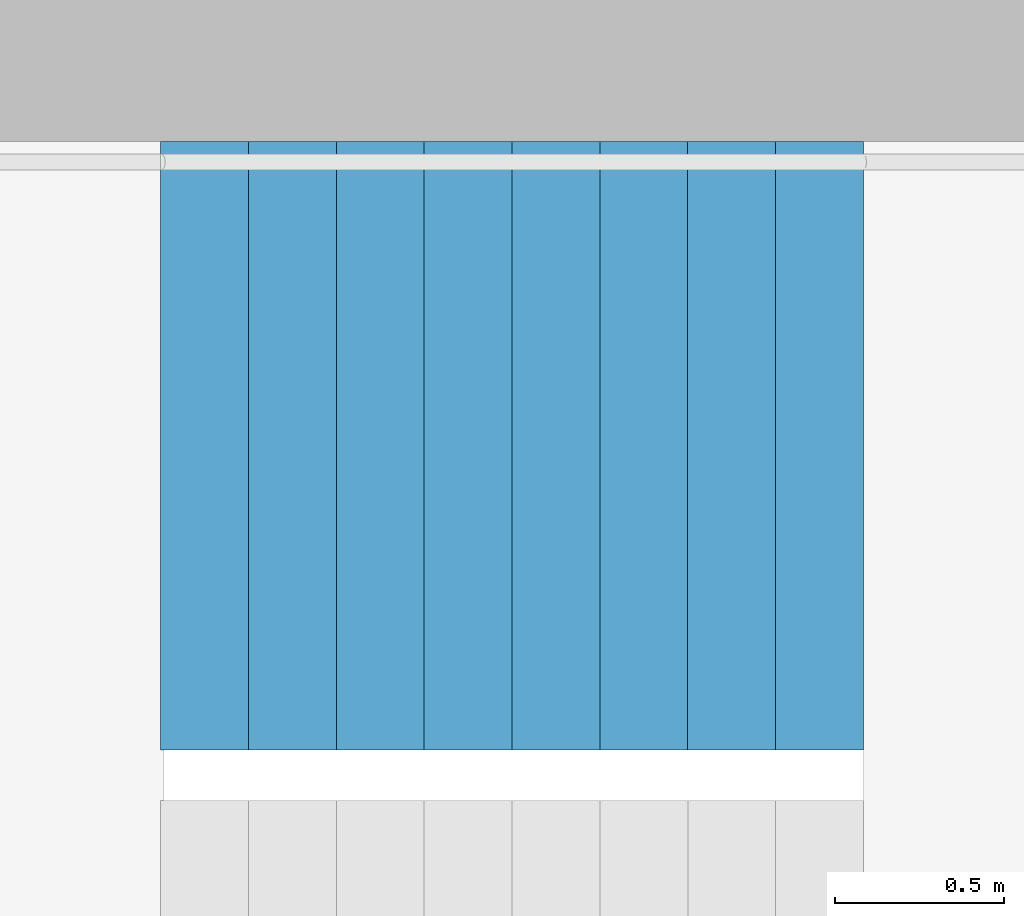
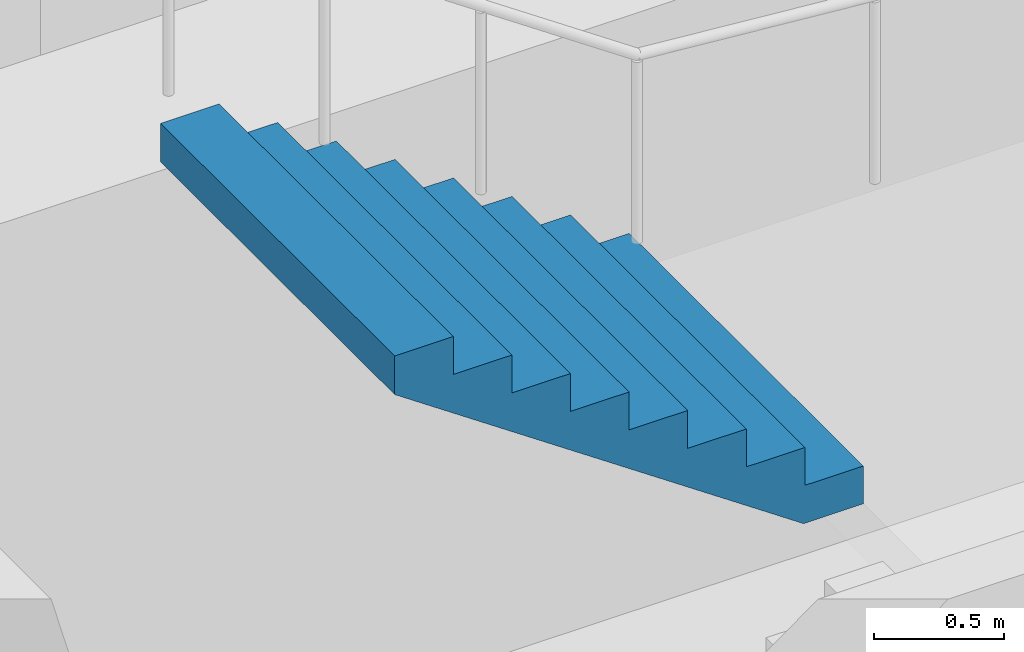
# One storey, part 36 of 42: 1 stair flight, 1 element without a shape of its own.
"""IFC4 building model written with IfcOpenShell, lengths in metres."""

from ifc_helpers import new_model, si_unit, direction, frame, origin, place, context, subcontext, project, spatial, triangles, material, type_object, element, aggregate, save


model = new_model("IFC4")

# Units and contexts
model_context = context("Model", 3, precision=1e-05, world=origin(), true_north=direction((0.0, 1.0)))
body_context = subcontext(model_context, "Body", "Model", "MODEL_VIEW")
ifc_project = project(units=[si_unit("LENGTHUNIT", "METRE"), si_unit("AREAUNIT", "SQUARE_METRE"), si_unit("VOLUMEUNIT", "CUBIC_METRE"), si_unit("PLANEANGLEUNIT", "RADIAN"), si_unit("MASSUNIT", "GRAM", prefix="KILO")], contexts=[model_context])

# Site, building, storey
site_placement = place(None, origin())
site = spatial("IfcSite", under=ifc_project, at=site_placement, CompositionType="ELEMENT")
building_placement = place(site_placement, origin())
building = spatial("IfcBuilding", under=site, at=building_placement, Name="Hakoniwa Tower and Hamabe Station Hall", CompositionType="ELEMENT")
storey_placement = place(building_placement, frame((0.0, 0.0, 19.800048828125)))
storey = spatial("IfcBuildingStorey", under=building, at=storey_placement, Name="L04", CompositionType="ELEMENT", Elevation=19.800048828125)

# Stair, stair flight
ifc_material_1 = material(Name="Concrete C40", Category="concrete")
stair_type = type_object("IfcStairType", Name="ESCAPE STAIR 1800", PredefinedType="HALF_TURN_STAIR", material=ifc_material_1)
stair_placement = place(storey_placement, origin())
stair = element("IfcStair", 1, at=stair_placement, inside=storey, type_object=stair_type, Name="Escape stair ST-1 L04", PredefinedType="HALF_TURN_STAIR")
ifc_material_2 = material(Name="Concrete C40", Category="concrete")
stair_flight_type = type_object("IfcStairFlightType", Name="STAIR FLIGHT 1800", PredefinedType="STRAIGHT", material=ifc_material_2)
stair_flight_placement = place(storey_placement, frame((-22.320068359375, 6.60009765625, 1.599853515625), z_axis=(0.0, 0.0, 1.0), x_axis=(-1.0, 0.0, 0.0)))
stair_flight = element("IfcStairFlight", 2, at=stair_flight_placement, type_object=stair_flight_type, Name="ST-1 flight 2", NumberOfRisers=9, NumberOfTreads=8, PredefinedType="STRAIGHT", RiserHeight=0.177777778, TreadLength=0.26, context=body_context, shape_type="Tessellation", body=[
    triangles([(0.0, 0.89990234375, 0.0), (0.260009765625, 0.89990234375, 0.0), (0.265625, 0.89990234375, 0.0), (0.52001953125, 0.89990234375, 0.174072265625), (0.780029296875, 0.89990234375, 0.351806640625), (1.0400390625, 0.89990234375, 0.529541015625), (1.300048828125, 0.89990234375, 0.707275390625), (1.56005859375, 0.89990234375, 0.885009765625), (1.820068359375, 0.89990234375, 1.062744140625), (2.080078125, 0.89990234375, 1.24072265625), (2.080078125, 0.89990234375, 1.422119140625), (1.820068359375, 0.89990234375, 1.422119140625), (1.820068359375, 0.89990234375, 1.244384765625), (1.56005859375, 0.89990234375, 1.244384765625), (1.56005859375, 0.89990234375, 1.066650390625), (1.300048828125, 0.89990234375, 1.066650390625), (1.300048828125, 0.89990234375, 0.888916015625), (1.0400390625, 0.89990234375, 0.888916015625), (1.0400390625, 0.89990234375, 0.711181640625), (0.780029296875, 0.89990234375, 0.711181640625), (0.780029296875, 0.89990234375, 0.533447265625), (0.52001953125, 0.89990234375, 0.533447265625), (0.52001953125, 0.89990234375, 0.35546875), (0.265625, 0.89990234375, 0.35546875), (0.260009765625, 0.89990234375, 0.35546875), (0.260009765625, 0.89990234375, 0.177734375), (0.0, 0.89990234375, 0.177734375), (0.0, 0.06005859375, 0.0), (0.260009765625, 0.06005859375, 0.0), (0.265625, 0.06005859375, 0.0), (0.52001953125, 0.06005859375, 0.174072265625), (0.780029296875, 0.06005859375, 0.351806640625), (1.0400390625, 0.06005859375, 0.529541015625), (1.300048828125, 0.06005859375, 0.707275390625), (1.56005859375, 0.06005859375, 0.885009765625), (1.820068359375, 0.06005859375, 1.062744140625), (2.080078125, 0.06005859375, 1.24072265625), (2.080078125, 0.06005859375, 1.422119140625), (1.820068359375, 0.06005859375, 1.422119140625), (1.820068359375, 0.06005859375, 1.244384765625), (1.56005859375, 0.06005859375, 1.244384765625), (1.56005859375, 0.06005859375, 1.066650390625), (1.300048828125, 0.06005859375, 1.066650390625), (1.300048828125, 0.06005859375, 0.888916015625), (1.0400390625, 0.06005859375, 0.888916015625), (1.0400390625, 0.06005859375, 0.711181640625), (0.780029296875, 0.06005859375, 0.711181640625), (0.780029296875, 0.06005859375, 0.533447265625), (0.52001953125, 0.06005859375, 0.533447265625), (0.52001953125, 0.06005859375, 0.35546875), (0.265625, 0.06005859375, 0.35546875), (0.260009765625, 0.06005859375, 0.35546875), (0.260009765625, 0.06005859375, 0.177734375), (0.0, 0.06005859375, 0.177734375), (0.0, 0.04296875, 0.0), (0.260009765625, 0.04296875, 0.0), (0.265625, 0.04296875, 0.0), (0.52001953125, 0.04296875, 0.174072265625), (0.780029296875, 0.04296875, 0.351806640625), (1.0400390625, 0.04296875, 0.529541015625), (1.300048828125, 0.04296875, 0.707275390625), (1.56005859375, 0.04296875, 0.885009765625), (1.820068359375, 0.04296875, 1.062744140625), (2.080078125, 0.04296875, 1.24072265625), (2.080078125, 0.04296875, 1.422119140625), (1.820068359375, 0.04296875, 1.422119140625), (1.820068359375, 0.04296875, 1.244384765625), (1.56005859375, 0.04296875, 1.244384765625), (1.56005859375, 0.04296875, 1.066650390625), (1.300048828125, 0.04296875, 1.066650390625), (1.300048828125, 0.04296875, 0.888916015625), (1.0400390625, 0.04296875, 0.888916015625), (1.0400390625, 0.04296875, 0.711181640625), (0.780029296875, 0.04296875, 0.711181640625), (0.780029296875, 0.04296875, 0.533447265625), (0.52001953125, 0.04296875, 0.533447265625), (0.52001953125, 0.04296875, 0.35546875), (0.265625, 0.04296875, 0.35546875), (0.260009765625, 0.04296875, 0.35546875), (0.260009765625, 0.04296875, 0.177734375), (0.0, 0.04296875, 0.177734375), (0.0, 0.025634765625, 0.0), (0.260009765625, 0.025634765625, 0.0), (0.265625, 0.025634765625, 0.0), (0.52001953125, 0.025634765625, 0.174072265625), (0.780029296875, 0.025634765625, 0.351806640625), (1.0400390625, 0.025634765625, 0.529541015625), (1.300048828125, 0.025634765625, 0.707275390625), (1.56005859375, 0.025634765625, 0.885009765625), (1.820068359375, 0.025634765625, 1.062744140625), (2.080078125, 0.025634765625, 1.24072265625), (2.080078125, 0.025634765625, 1.422119140625), (1.820068359375, 0.025634765625, 1.422119140625), (1.820068359375, 0.025634765625, 1.244384765625), (1.56005859375, 0.025634765625, 1.244384765625), (1.56005859375, 0.025634765625, 1.066650390625), (1.300048828125, 0.025634765625, 1.066650390625), (1.300048828125, 0.025634765625, 0.888916015625), (1.0400390625, 0.025634765625, 0.888916015625), (1.0400390625, 0.025634765625, 0.711181640625), (0.780029296875, 0.025634765625, 0.711181640625), (0.780029296875, 0.025634765625, 0.533447265625), (0.52001953125, 0.025634765625, 0.533447265625), (0.52001953125, 0.025634765625, 0.35546875), (0.265625, 0.025634765625, 0.35546875), (0.260009765625, 0.025634765625, 0.35546875), (0.260009765625, 0.025634765625, 0.177734375), (0.0, 0.025634765625, 0.177734375), (0.0, 0.008544921875, 0.0), (0.260009765625, 0.008544921875, 0.0), (0.265625, 0.008544921875, 0.0), (0.52001953125, 0.008544921875, 0.174072265625), (0.780029296875, 0.008544921875, 0.351806640625), (1.0400390625, 0.008544921875, 0.529541015625), (1.300048828125, 0.008544921875, 0.707275390625), (1.56005859375, 0.008544921875, 0.885009765625), (1.820068359375, 0.008544921875, 1.062744140625), (2.080078125, 0.008544921875, 1.24072265625), (2.080078125, 0.008544921875, 1.422119140625), (1.820068359375, 0.008544921875, 1.422119140625), (1.820068359375, 0.008544921875, 1.244384765625), (1.56005859375, 0.008544921875, 1.244384765625), (1.56005859375, 0.008544921875, 1.066650390625), (1.300048828125, 0.008544921875, 1.066650390625), (1.300048828125, 0.008544921875, 0.888916015625), (1.0400390625, 0.008544921875, 0.888916015625), (1.0400390625, 0.008544921875, 0.711181640625), (0.780029296875, 0.008544921875, 0.711181640625), (0.780029296875, 0.008544921875, 0.533447265625), (0.52001953125, 0.008544921875, 0.533447265625), (0.52001953125, 0.008544921875, 0.35546875), (0.265625, 0.008544921875, 0.35546875), (0.260009765625, 0.008544921875, 0.35546875), (0.260009765625, 0.008544921875, 0.177734375), (0.0, 0.008544921875, 0.177734375), (0.0, -0.008544921875, 0.0), (0.260009765625, -0.008544921875, 0.0), (0.265625, -0.008544921875, 0.0), (0.52001953125, -0.008544921875, 0.174072265625), (0.780029296875, -0.008544921875, 0.351806640625), (1.0400390625, -0.008544921875, 0.529541015625), (1.300048828125, -0.008544921875, 0.707275390625), (1.56005859375, -0.008544921875, 0.885009765625), (1.820068359375, -0.008544921875, 1.062744140625), (2.080078125, -0.008544921875, 1.24072265625), (2.080078125, -0.008544921875, 1.422119140625), (1.820068359375, -0.008544921875, 1.422119140625), (1.820068359375, -0.008544921875, 1.244384765625), (1.56005859375, -0.008544921875, 1.244384765625), (1.56005859375, -0.008544921875, 1.066650390625), (1.300048828125, -0.008544921875, 1.066650390625), (1.300048828125, -0.008544921875, 0.888916015625), (1.0400390625, -0.008544921875, 0.888916015625), (1.0400390625, -0.008544921875, 0.711181640625), (0.780029296875, -0.008544921875, 0.711181640625), (0.780029296875, -0.008544921875, 0.533447265625), (0.52001953125, -0.008544921875, 0.533447265625), (0.52001953125, -0.008544921875, 0.35546875), (0.265625, -0.008544921875, 0.35546875), (0.260009765625, -0.008544921875, 0.35546875), (0.260009765625, -0.008544921875, 0.177734375), (0.0, -0.008544921875, 0.177734375), (0.0, -0.025634765625, 0.0), (0.260009765625, -0.025634765625, 0.0), (0.265625, -0.025634765625, 0.0), (0.52001953125, -0.025634765625, 0.174072265625), (0.780029296875, -0.025634765625, 0.351806640625), (1.0400390625, -0.025634765625, 0.529541015625), (1.300048828125, -0.025634765625, 0.707275390625), (1.56005859375, -0.025634765625, 0.885009765625), (1.820068359375, -0.025634765625, 1.062744140625), (2.080078125, -0.025634765625, 1.24072265625), (2.080078125, -0.025634765625, 1.422119140625), (1.820068359375, -0.025634765625, 1.422119140625), (1.820068359375, -0.025634765625, 1.244384765625), (1.56005859375, -0.025634765625, 1.244384765625), (1.56005859375, -0.025634765625, 1.066650390625), (1.300048828125, -0.025634765625, 1.066650390625), (1.300048828125, -0.025634765625, 0.888916015625), (1.0400390625, -0.025634765625, 0.888916015625), (1.0400390625, -0.025634765625, 0.711181640625), (0.780029296875, -0.025634765625, 0.711181640625), (0.780029296875, -0.025634765625, 0.533447265625), (0.52001953125, -0.025634765625, 0.533447265625), (0.52001953125, -0.025634765625, 0.35546875), (0.265625, -0.025634765625, 0.35546875), (0.260009765625, -0.025634765625, 0.35546875), (0.260009765625, -0.025634765625, 0.177734375), (0.0, -0.025634765625, 0.177734375), (0.0, -0.04296875, 0.0), (0.260009765625, -0.04296875, 0.0), (0.265625, -0.04296875, 0.0), (0.52001953125, -0.04296875, 0.174072265625), (0.780029296875, -0.04296875, 0.351806640625), (1.0400390625, -0.04296875, 0.529541015625), (1.300048828125, -0.04296875, 0.707275390625), (1.56005859375, -0.04296875, 0.885009765625), (1.820068359375, -0.04296875, 1.062744140625), (2.080078125, -0.04296875, 1.24072265625), (2.080078125, -0.04296875, 1.422119140625), (1.820068359375, -0.04296875, 1.422119140625), (1.820068359375, -0.04296875, 1.244384765625), (1.56005859375, -0.04296875, 1.244384765625), (1.56005859375, -0.04296875, 1.066650390625), (1.300048828125, -0.04296875, 1.066650390625), (1.300048828125, -0.04296875, 0.888916015625), (1.0400390625, -0.04296875, 0.888916015625), (1.0400390625, -0.04296875, 0.711181640625), (0.780029296875, -0.04296875, 0.711181640625), (0.780029296875, -0.04296875, 0.533447265625), (0.52001953125, -0.04296875, 0.533447265625), (0.52001953125, -0.04296875, 0.35546875), (0.265625, -0.04296875, 0.35546875), (0.260009765625, -0.04296875, 0.35546875), (0.260009765625, -0.04296875, 0.177734375), (0.0, -0.04296875, 0.177734375), (0.0, -0.06005859375, 0.0), (0.260009765625, -0.06005859375, 0.0), (0.265625, -0.06005859375, 0.0), (0.52001953125, -0.06005859375, 0.174072265625), (0.780029296875, -0.06005859375, 0.351806640625), (1.0400390625, -0.06005859375, 0.529541015625), (1.300048828125, -0.06005859375, 0.707275390625), (1.56005859375, -0.06005859375, 0.885009765625), (1.820068359375, -0.06005859375, 1.062744140625), (2.080078125, -0.06005859375, 1.24072265625), (2.080078125, -0.06005859375, 1.422119140625), (1.820068359375, -0.06005859375, 1.422119140625), (1.820068359375, -0.06005859375, 1.244384765625), (1.56005859375, -0.06005859375, 1.244384765625), (1.56005859375, -0.06005859375, 1.066650390625), (1.300048828125, -0.06005859375, 1.066650390625), (1.300048828125, -0.06005859375, 0.888916015625), (1.0400390625, -0.06005859375, 0.888916015625), (1.0400390625, -0.06005859375, 0.711181640625), (0.780029296875, -0.06005859375, 0.711181640625), (0.780029296875, -0.06005859375, 0.533447265625), (0.52001953125, -0.06005859375, 0.533447265625), (0.52001953125, -0.06005859375, 0.35546875), (0.265625, -0.06005859375, 0.35546875), (0.260009765625, -0.06005859375, 0.35546875), (0.260009765625, -0.06005859375, 0.177734375), (0.0, -0.06005859375, 0.177734375), (0.0, -0.89990234375, 0.0), (0.260009765625, -0.89990234375, 0.0), (0.265625, -0.89990234375, 0.0), (0.52001953125, -0.89990234375, 0.174072265625), (0.780029296875, -0.89990234375, 0.351806640625), (1.0400390625, -0.89990234375, 0.529541015625), (1.300048828125, -0.89990234375, 0.707275390625), (1.56005859375, -0.89990234375, 0.885009765625), (1.820068359375, -0.89990234375, 1.062744140625), (2.080078125, -0.89990234375, 1.24072265625), (2.080078125, -0.89990234375, 1.422119140625), (1.820068359375, -0.89990234375, 1.422119140625), (1.820068359375, -0.89990234375, 1.244384765625), (1.56005859375, -0.89990234375, 1.244384765625), (1.56005859375, -0.89990234375, 1.066650390625), (1.300048828125, -0.89990234375, 1.066650390625), (1.300048828125, -0.89990234375, 0.888916015625), (1.0400390625, -0.89990234375, 0.888916015625), (1.0400390625, -0.89990234375, 0.711181640625), (0.780029296875, -0.89990234375, 0.711181640625), (0.780029296875, -0.89990234375, 0.533447265625), (0.52001953125, -0.89990234375, 0.533447265625), (0.52001953125, -0.89990234375, 0.35546875), (0.265625, -0.89990234375, 0.35546875), (0.260009765625, -0.89990234375, 0.35546875), (0.260009765625, -0.89990234375, 0.177734375), (0.0, -0.89990234375, 0.177734375)], [[2, 27, 26], [245, 269, 270], [2, 1, 27], [245, 270, 244], [3, 25, 24], [246, 267, 268], [3, 26, 25], [246, 268, 269], [3, 2, 26], [246, 269, 245], [4, 24, 23], [247, 266, 267], [4, 3, 24], [247, 267, 246], [5, 22, 21], [248, 264, 265], [5, 23, 22], [248, 265, 266], [5, 4, 23], [248, 266, 247], [6, 20, 19], [249, 262, 263], [6, 21, 20], [249, 263, 264], [6, 5, 21], [249, 264, 248], [7, 18, 17], [250, 260, 261], [7, 19, 18], [250, 261, 262], [7, 6, 19], [250, 262, 249], [8, 16, 15], [251, 258, 259], [8, 17, 16], [251, 259, 260], [8, 7, 17], [251, 260, 250], [9, 14, 13], [252, 256, 257], [9, 15, 14], [252, 257, 258], [9, 8, 15], [252, 258, 251], [10, 12, 11], [253, 254, 255], [10, 13, 12], [253, 255, 256], [10, 9, 13], [253, 256, 252], [1, 2, 29], [1, 29, 28], [28, 29, 56], [28, 56, 55], [55, 56, 83], [55, 83, 82], [82, 83, 110], [82, 110, 109], [109, 110, 137], [109, 137, 136], [136, 137, 164], [136, 164, 163], [163, 164, 191], [163, 191, 190], [190, 191, 218], [190, 218, 217], [217, 218, 245], [217, 245, 244], [2, 3, 30], [2, 30, 29], [29, 30, 57], [29, 57, 56], [56, 57, 84], [56, 84, 83], [83, 84, 111], [83, 111, 110], [110, 111, 138], [110, 138, 137], [137, 138, 165], [137, 165, 164], [164, 165, 192], [164, 192, 191], [191, 192, 219], [191, 219, 218], [218, 219, 246], [218, 246, 245], [3, 4, 31], [3, 31, 30], [30, 31, 58], [30, 58, 57], [57, 58, 85], [57, 85, 84], [84, 85, 112], [84, 112, 111], [111, 112, 139], [111, 139, 138], [138, 139, 166], [138, 166, 165], [165, 166, 193], [165, 193, 192], [192, 193, 220], [192, 220, 219], [219, 220, 247], [219, 247, 246], [4, 5, 32], [4, 32, 31], [31, 32, 59], [31, 59, 58], [58, 59, 86], [58, 86, 85], [85, 86, 113], [85, 113, 112], [112, 113, 140], [112, 140, 139], [139, 140, 167], [139, 167, 166], [166, 167, 194], [166, 194, 193], [193, 194, 221], [193, 221, 220], [220, 221, 248], [220, 248, 247], [5, 6, 33], [5, 33, 32], [32, 33, 60], [32, 60, 59], [59, 60, 87], [59, 87, 86], [86, 87, 114], [86, 114, 113], [113, 114, 141], [113, 141, 140], [140, 141, 168], [140, 168, 167], [167, 168, 195], [167, 195, 194], [194, 195, 222], [194, 222, 221], [221, 222, 249], [221, 249, 248], [6, 7, 34], [6, 34, 33], [33, 34, 61], [33, 61, 60], [60, 61, 88], [60, 88, 87], [87, 88, 115], [87, 115, 114], [114, 115, 142], [114, 142, 141], [141, 142, 169], [141, 169, 168], [168, 169, 196], [168, 196, 195], [195, 196, 223], [195, 223, 222], [222, 223, 250], [222, 250, 249], [7, 8, 35], [7, 35, 34], [34, 35, 62], [34, 62, 61], [61, 62, 89], [61, 89, 88], [88, 89, 116], [88, 116, 115], [115, 116, 143], [115, 143, 142], [142, 143, 170], [142, 170, 169], [169, 170, 197], [169, 197, 196], [196, 197, 224], [196, 224, 223], [223, 224, 251], [223, 251, 250], [8, 9, 36], [8, 36, 35], [35, 36, 63], [35, 63, 62], [62, 63, 90], [62, 90, 89], [89, 90, 117], [89, 117, 116], [116, 117, 144], [116, 144, 143], [143, 144, 171], [143, 171, 170], [170, 171, 198], [170, 198, 197], [197, 198, 225], [197, 225, 224], [224, 225, 252], [224, 252, 251], [9, 10, 37], [9, 37, 36], [36, 37, 64], [36, 64, 63], [63, 64, 91], [63, 91, 90], [90, 91, 118], [90, 118, 117], [117, 118, 145], [117, 145, 144], [144, 145, 172], [144, 172, 171], [171, 172, 199], [171, 199, 198], [198, 199, 226], [198, 226, 225], [225, 226, 253], [225, 253, 252], [10, 11, 38], [10, 38, 37], [37, 38, 65], [37, 65, 64], [64, 65, 92], [64, 92, 91], [91, 92, 119], [91, 119, 118], [118, 119, 146], [118, 146, 145], [145, 146, 173], [145, 173, 172], [172, 173, 200], [172, 200, 199], [199, 200, 227], [199, 227, 226], [226, 227, 254], [226, 254, 253], [11, 12, 39], [11, 39, 38], [38, 39, 66], [38, 66, 65], [65, 66, 93], [65, 93, 92], [92, 93, 120], [92, 120, 119], [119, 120, 147], [119, 147, 146], [146, 147, 174], [146, 174, 173], [173, 174, 201], [173, 201, 200], [200, 201, 228], [200, 228, 227], [227, 228, 255], [227, 255, 254], [12, 13, 40], [12, 40, 39], [39, 40, 67], [39, 67, 66], [66, 67, 94], [66, 94, 93], [93, 94, 121], [93, 121, 120], [120, 121, 148], [120, 148, 147], [147, 148, 175], [147, 175, 174], [174, 175, 202], [174, 202, 201], [201, 202, 229], [201, 229, 228], [228, 229, 256], [228, 256, 255], [13, 14, 41], [13, 41, 40], [40, 41, 68], [40, 68, 67], [67, 68, 95], [67, 95, 94], [94, 95, 122], [94, 122, 121], [121, 122, 149], [121, 149, 148], [148, 149, 176], [148, 176, 175], [175, 176, 203], [175, 203, 202], [202, 203, 230], [202, 230, 229], [229, 230, 257], [229, 257, 256], [14, 15, 42], [14, 42, 41], [41, 42, 69], [41, 69, 68], [68, 69, 96], [68, 96, 95], [95, 96, 123], [95, 123, 122], [122, 123, 150], [122, 150, 149], [149, 150, 177], [149, 177, 176], [176, 177, 204], [176, 204, 203], [203, 204, 231], [203, 231, 230], [230, 231, 258], [230, 258, 257], [15, 16, 43], [15, 43, 42], [42, 43, 70], [42, 70, 69], [69, 70, 97], [69, 97, 96], [96, 97, 124], [96, 124, 123], [123, 124, 151], [123, 151, 150], [150, 151, 178], [150, 178, 177], [177, 178, 205], [177, 205, 204], [204, 205, 232], [204, 232, 231], [231, 232, 259], [231, 259, 258], [16, 17, 44], [16, 44, 43], [43, 44, 71], [43, 71, 70], [70, 71, 98], [70, 98, 97], [97, 98, 125], [97, 125, 124], [124, 125, 152], [124, 152, 151], [151, 152, 179], [151, 179, 178], [178, 179, 206], [178, 206, 205], [205, 206, 233], [205, 233, 232], [232, 233, 260], [232, 260, 259], [17, 18, 45], [17, 45, 44], [44, 45, 72], [44, 72, 71], [71, 72, 99], [71, 99, 98], [98, 99, 126], [98, 126, 125], [125, 126, 153], [125, 153, 152], [152, 153, 180], [152, 180, 179], [179, 180, 207], [179, 207, 206], [206, 207, 234], [206, 234, 233], [233, 234, 261], [233, 261, 260], [18, 19, 46], [18, 46, 45], [45, 46, 73], [45, 73, 72], [72, 73, 100], [72, 100, 99], [99, 100, 127], [99, 127, 126], [126, 127, 154], [126, 154, 153], [153, 154, 181], [153, 181, 180], [180, 181, 208], [180, 208, 207], [207, 208, 235], [207, 235, 234], [234, 235, 262], [234, 262, 261], [19, 20, 47], [19, 47, 46], [46, 47, 74], [46, 74, 73], [73, 74, 101], [73, 101, 100], [100, 101, 128], [100, 128, 127], [127, 128, 155], [127, 155, 154], [154, 155, 182], [154, 182, 181], [181, 182, 209], [181, 209, 208], [208, 209, 236], [208, 236, 235], [235, 236, 263], [235, 263, 262], [20, 21, 48], [20, 48, 47], [47, 48, 75], [47, 75, 74], [74, 75, 102], [74, 102, 101], [101, 102, 129], [101, 129, 128], [128, 129, 156], [128, 156, 155], [155, 156, 183], [155, 183, 182], [182, 183, 210], [182, 210, 209], [209, 210, 237], [209, 237, 236], [236, 237, 264], [236, 264, 263], [21, 22, 49], [21, 49, 48], [48, 49, 76], [48, 76, 75], [75, 76, 103], [75, 103, 102], [102, 103, 130], [102, 130, 129], [129, 130, 157], [129, 157, 156], [156, 157, 184], [156, 184, 183], [183, 184, 211], [183, 211, 210], [210, 211, 238], [210, 238, 237], [237, 238, 265], [237, 265, 264], [22, 23, 50], [22, 50, 49], [49, 50, 77], [49, 77, 76], [76, 77, 104], [76, 104, 103], [103, 104, 131], [103, 131, 130], [130, 131, 158], [130, 158, 157], [157, 158, 185], [157, 185, 184], [184, 185, 212], [184, 212, 211], [211, 212, 239], [211, 239, 238], [238, 239, 266], [238, 266, 265], [23, 24, 51], [23, 51, 50], [50, 51, 78], [50, 78, 77], [77, 78, 105], [77, 105, 104], [104, 105, 132], [104, 132, 131], [131, 132, 159], [131, 159, 158], [158, 159, 186], [158, 186, 185], [185, 186, 213], [185, 213, 212], [212, 213, 240], [212, 240, 239], [239, 240, 267], [239, 267, 266], [24, 25, 52], [24, 52, 51], [51, 52, 79], [51, 79, 78], [78, 79, 106], [78, 106, 105], [105, 106, 133], [105, 133, 132], [132, 133, 160], [132, 160, 159], [159, 160, 187], [159, 187, 186], [186, 187, 214], [186, 214, 213], [213, 214, 241], [213, 241, 240], [240, 241, 268], [240, 268, 267], [25, 26, 53], [25, 53, 52], [52, 53, 80], [52, 80, 79], [79, 80, 107], [79, 107, 106], [106, 107, 134], [106, 134, 133], [133, 134, 161], [133, 161, 160], [160, 161, 188], [160, 188, 187], [187, 188, 215], [187, 215, 214], [214, 215, 242], [214, 242, 241], [241, 242, 269], [241, 269, 268], [26, 27, 54], [26, 54, 53], [53, 54, 81], [53, 81, 80], [80, 81, 108], [80, 108, 107], [107, 108, 135], [107, 135, 134], [134, 135, 162], [134, 162, 161], [161, 162, 189], [161, 189, 188], [188, 189, 216], [188, 216, 215], [215, 216, 243], [215, 243, 242], [242, 243, 270], [242, 270, 269], [27, 1, 28], [27, 28, 54], [54, 28, 55], [54, 55, 81], [81, 55, 82], [81, 82, 108], [108, 82, 109], [108, 109, 135], [135, 109, 136], [135, 136, 162], [162, 136, 163], [162, 163, 189], [189, 163, 190], [189, 190, 216], [216, 190, 217], [216, 217, 243], [243, 217, 244], [243, 244, 270]], closed=True),
])
aggregate(stair, [stair_flight])

save(model, "model.ifc")
